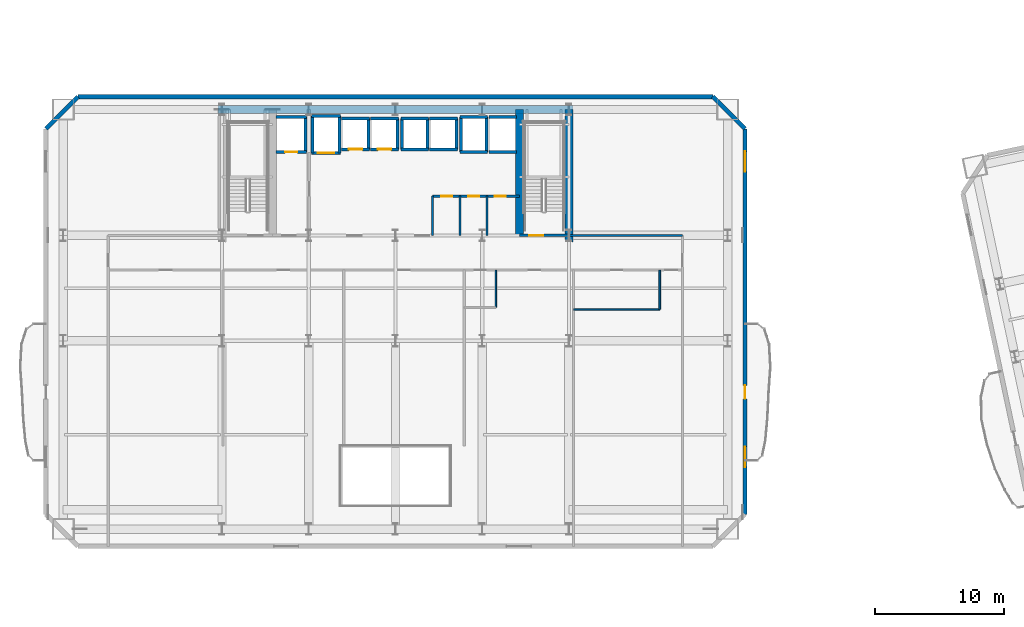
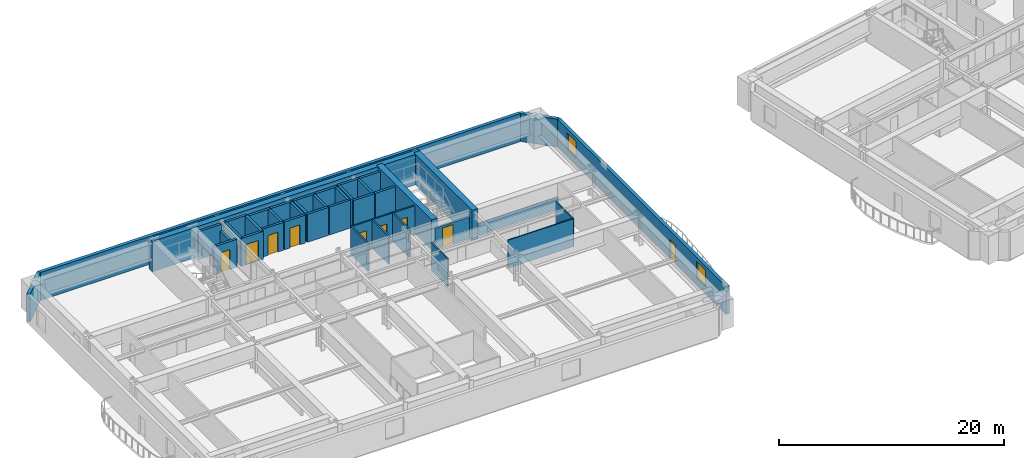
# One storey, part 8 of 18: 42 walls, 9 doors, 2 windows, 11 openings.
"""IFC4 building model written with IfcOpenShell, lengths in metres."""

from ifc_helpers import new_model, si_unit, direction, frame, frame_2d, origin, place, context, subcontext, project, spatial, rectangle, extrude, material, layer, layer_set, type_object, element, fill, save


model = new_model("IFC4")

# Units and contexts
model_context = context("Model", 3, precision=1e-05, world=origin(), true_north=direction((0.0, 1.0)))
body_context = subcontext(model_context, "Body", "Model", "MODEL_VIEW")
ifc_project = project(units=[si_unit("LENGTHUNIT", "METRE"), si_unit("AREAUNIT", "SQUARE_METRE"), si_unit("VOLUMEUNIT", "CUBIC_METRE"), si_unit("PLANEANGLEUNIT", "RADIAN"), si_unit("MASSUNIT", "GRAM", prefix="KILO")], contexts=[model_context])

# Site, building, storey
site_placement = place(None, origin())
site = spatial("IfcSite", under=ifc_project, at=site_placement, CompositionType="ELEMENT")
building_placement = place(site_placement, origin())
building = spatial("IfcBuilding", under=site, at=building_placement, Name="Haevon Station Towers", CompositionType="ELEMENT")
storey_placement = place(building_placement, frame((0.0, 0.0, 47.10009765625)))
storey = spatial("IfcBuildingStorey", under=building, at=storey_placement, Name="L11", CompositionType="ELEMENT", Elevation=47.10009765625)

# Wall, opening, door
ifc_material_1 = material(Name="Gypsum board on steel stud", Category="steel")
ifc_layer_1 = layer(ifc_material_1, 0.199951171875)
ifc_layer_set_1 = layer_set([ifc_layer_1], Name="Gypsum board on steel stud")
wall_type_1 = type_object("IfcWallType", Name="WL-COR200", PredefinedType="PARTITIONING", material=ifc_layer_set_1)
wall_1_placement = place(storey_placement, frame((47.14990234375, 38.199951171875, 0.0), z_axis=(0.0, 0.0, 1.0), x_axis=(1.0, 0.0, 0.0)))
wall_1 = element("IfcWall", 1, at=wall_1_placement, inside=storey, type_object=wall_type_1, Name="WL-ST-ST2-L11", PredefinedType="PARTITIONING", context=body_context, shape_type="SweptSolid", body=[
    extrude(rectangle(XDim=3.85009765625, YDim=0.199951171875, at=frame_2d((1.925048828125, 0.0))), origin(), (0.0, 0.0, 1.0), 2.329833984375),
])
opening_1_placement = place(wall_1_placement, frame((0.75, 0.0, 0.0)))
opening_1 = element("IfcOpeningElement", 2, at=opening_1_placement, cuts=wall_1, Name="Opening DR-ST-ST2-L11", PredefinedType="OPENING", context=body_context, shape_type="SweptSolid", body=[
    extrude(rectangle(XDim=1.1201171875, YDim=2.10009765625, at=frame_2d((0.56005859375, 1.050048828125))), frame((0.0, 0.10986328125, 0.0), z_axis=(0.0, -1.0, 0.0), x_axis=(1.0, 0.0, 0.0)), (0.0, 0.0, 1.0), 0.219970703125),
])
ifc_material_2 = material(Name="Engineered oak timber", Category="wood")
door_type_1 = type_object("IfcDoorType", Name="DR-ST-1120", OperationType="NOTDEFINED", PredefinedType="DOOR", material=ifc_material_2)
door_1_placement = place(opening_1_placement, origin())
door_1 = element("IfcDoor", 3, at=door_1_placement, inside=storey, type_object=door_type_1, Name="L11 Escape Stair ST2 Fire Door", OperationType="SINGLE_SWING_RIGHT", OverallHeight=2.10009765625, OverallWidth=1.1201171875, PredefinedType="DOOR", context=body_context, shape_type="SweptSolid", body=[
    extrude(rectangle(XDim=1.1201171875, YDim=2.10009765625, at=frame_2d((0.56005859375, 1.050048828125))), frame((0.0, 0.02490234375, 0.0), z_axis=(0.0, -1.0, 0.0), x_axis=(1.0, 0.0, 0.0)), (0.0, 0.0, 1.0), 0.050048828125),
])
fill(opening_1, door_1)

# Walls
ifc_material_3 = material(Name="Concrete C60/75", Category="concrete")
ifc_layer_2 = layer(ifc_material_3, 0.60009765625)
ifc_layer_set_2 = layer_set([ifc_layer_2], Name="Concrete C60/75")
wall_type_2 = type_object("IfcWallType", Name="WL-CR600", PredefinedType="SHEAR", material=ifc_layer_set_2)
wall_2_placement = place(storey_placement, frame((23.699951171875, 48.0, 0.0), z_axis=(0.0, 0.0, 1.0), x_axis=(1.0, 0.0, 0.0)))
element("IfcWall", 4, at=wall_2_placement, inside=storey, type_object=wall_type_2, Name="WL-T1CR-L11-N", PredefinedType="SHEAR", context=body_context, shape_type="SweptSolid", body=[
    extrude(rectangle(XDim=27.60009765625, YDim=0.60009765625, at=frame_2d((13.800048828125, 0.0))), origin(), (0.0, 0.0, 1.0), 3.2998046875),
])
wall_3_placement = place(storey_placement, frame((51.0, 37.679931640625, 0.0), z_axis=(0.0, 0.0, 1.0), x_axis=(0.0, 1.0, 0.0)))
element("IfcWall", 5, at=wall_3_placement, inside=storey, type_object=wall_type_2, Name="WL-T1CR-L11-E", PredefinedType="SHEAR", context=body_context, shape_type="SweptSolid", body=[
    extrude(rectangle(XDim=10.320068359375, YDim=0.60009765625, at=frame_2d((5.16015625, 0.0))), origin(), (0.0, 0.0, 1.0), 3.2998046875),
])
wall_4_placement = place(storey_placement, frame((47.14990234375, 38.199951171875, 0.0), z_axis=(0.0, 0.0, 1.0), x_axis=(0.0, 1.0, 0.0)))
element("IfcWall", 6, at=wall_4_placement, inside=storey, type_object=wall_type_2, Name="WL-T1CR-L11-M2", PredefinedType="SHEAR", context=body_context, shape_type="SweptSolid", body=[
    extrude(rectangle(XDim=9.800048828125, YDim=0.60009765625, at=frame_2d((4.89990234375, 0.0))), origin(), (0.0, 0.0, 1.0), 3.2998046875),
])
ifc_material_4 = material(Name="Precast concrete C45/55", Category="concrete")
ifc_layer_3 = layer(ifc_material_4, 0.340087890625)
ifc_layer_set_3 = layer_set([ifc_layer_3], Name="Precast concrete C45/55")
wall_type_3 = type_object("IfcWallType", Name="WL-EXT-PIER340", PredefinedType="SOLIDWALL", material=ifc_layer_set_3)
wall_5_placement = place(storey_placement, frame((10.300048828125, 46.5, 0.0), z_axis=(0.0, 0.0, 1.0), x_axis=(0.707106781187, 0.707106781187, 0.0)))
element("IfcWall", 7, at=wall_5_placement, inside=storey, type_object=wall_type_3, Name="WL-T1-L11-NWC", PredefinedType="SOLIDWALL", context=body_context, shape_type="SweptSolid", body=[
    extrude(rectangle(XDim=3.53564453125, YDim=0.340087890625, at=frame_2d((1.767822265625, 0.0))), origin(), (0.0, 0.0, 1.0), 3.02978515625),
])
wall_6_placement = place(storey_placement, frame((12.800048828125, 49.0, 0.0), z_axis=(0.0, 0.0, 1.0), x_axis=(1.0, 0.0, 0.0)))
element("IfcWall", 8, at=wall_6_placement, inside=storey, type_object=wall_type_3, Name="WL-T1-L11-N", PredefinedType="SOLIDWALL", context=body_context, shape_type="SweptSolid", body=[
    extrude(rectangle(XDim=49.39990234375, YDim=0.340087890625, at=frame_2d((24.699951171875, 0.0))), origin(), (0.0, 0.0, 1.0), 3.02978515625),
])
wall_7_placement = place(storey_placement, frame((62.199951171875, 49.0, 0.0), z_axis=(0.0, 0.0, 1.0), x_axis=(0.707106781187, -0.707106781187, 0.0)))
element("IfcWall", 9, at=wall_7_placement, inside=storey, type_object=wall_type_3, Name="WL-T1-L11-NEC", PredefinedType="SOLIDWALL", context=body_context, shape_type="SweptSolid", body=[
    extrude(rectangle(XDim=3.53564453125, YDim=0.340087890625, at=frame_2d((1.767822265625, 0.0))), origin(), (0.0, 0.0, 1.0), 3.02978515625),
])

# Wall, openings, door, windows
wall_8_placement = place(storey_placement, frame((64.699951171875, 46.5, 0.0), z_axis=(0.0, 0.0, 1.0), x_axis=(0.0, -1.0, 0.0)))
wall_8 = element("IfcWall", 10, at=wall_8_placement, inside=storey, type_object=wall_type_3, Name="WL-T1-L11-E", PredefinedType="SOLIDWALL", context=body_context, shape_type="SweptSolid", body=[
    extrude(rectangle(XDim=30.0, YDim=0.340087890625, at=frame_2d((15.0, 0.0))), origin(), (0.0, 0.0, 1.0), 3.02978515625),
])
opening_2_placement = place(wall_8_placement, frame((19.97509765625, 0.0, 0.0)))
opening_2 = element("IfcOpeningElement", 11, at=opening_2_placement, cuts=wall_8, Name="Opening DR-T1-SCAL-L11-E", PredefinedType="OPENING", context=body_context, shape_type="SweptSolid", body=[
    extrude(rectangle(XDim=1.050048828125, YDim=2.10009765625, at=frame_2d((0.52490234375, 1.050048828125))), frame((0.0, 0.179931640625, 0.0), z_axis=(0.0, -1.0, 0.0), x_axis=(1.0, 0.0, 0.0)), (0.0, 0.0, 1.0), 0.360107421875),
])
opening_3_placement = place(wall_8_placement, frame((1.757080078125, 0.0, 0.800048828125)))
opening_3 = element("IfcOpeningElement", 12, at=opening_3_placement, cuts=wall_8, Name="Opening WN-END160", PredefinedType="OPENING", context=body_context, shape_type="SweptSolid", body=[
    extrude(rectangle(XDim=1.60009765625, YDim=1.800048828125, at=frame_2d((0.800048828125, 0.89990234375))), frame((0.0, 0.179931640625, 0.0), z_axis=(0.0, -1.0, 0.0), x_axis=(1.0, 0.0, 0.0)), (0.0, 0.0, 1.0), 0.360107421875),
])
opening_4_placement = place(wall_8_placement, frame((24.728515625, 0.0, 0.800048828125)))
opening_4 = element("IfcOpeningElement", 13, at=opening_4_placement, cuts=wall_8, Name="Opening WN-END160", PredefinedType="OPENING", context=body_context, shape_type="SweptSolid", body=[
    extrude(rectangle(XDim=1.60009765625, YDim=1.800048828125, at=frame_2d((0.800048828125, 0.89990234375))), frame((0.0, 0.179931640625, 0.0), z_axis=(0.0, -1.0, 0.0), x_axis=(1.0, 0.0, 0.0)), (0.0, 0.0, 1.0), 0.360107421875),
])
ifc_material_5 = material(Name="Thermally broken anodised aluminium and laminated safety glass", Category="aluminium")
door_type_2 = type_object("IfcDoorType", Name="DR-BALC-1050", OperationType="NOTDEFINED", PredefinedType="DOOR", material=ifc_material_5)
door_2_placement = place(opening_2_placement, origin())
door_2 = element("IfcDoor", 14, at=door_2_placement, inside=storey, type_object=door_type_2, Name="Tower 1 L11 East Scalloped Balcony Door", OperationType="SINGLE_SWING_RIGHT", OverallHeight=2.10009765625, OverallWidth=1.050048828125, PredefinedType="DOOR", context=body_context, shape_type="SweptSolid", body=[
    extrude(rectangle(XDim=1.050048828125, YDim=2.10009765625, at=frame_2d((0.52490234375, 1.050048828125))), frame((0.0, 0.02490234375, 0.0), z_axis=(0.0, -1.0, 0.0), x_axis=(1.0, 0.0, 0.0)), (0.0, 0.0, 1.0), 0.050048828125),
])
fill(opening_2, door_2)
ifc_material_6 = material(Name="Low-E triple glazing in thermally broken aluminium", Category="aluminium")
window_type = type_object("IfcWindowType", Name="WN-END160", PartitioningType="SINGLE_PANEL", PredefinedType="WINDOW", material=ifc_material_6)
window_1_placement = place(opening_3_placement, origin())
window_1 = element("IfcWindow", 15, at=window_1_placement, inside=storey, type_object=window_type, Name="WN-T1-L11-E01", OverallHeight=1.800048828125, OverallWidth=1.60009765625, PartitioningType="SINGLE_PANEL", PredefinedType="WINDOW", context=body_context, shape_type="SweptSolid", body=[
    extrude(rectangle(XDim=1.60009765625, YDim=1.800048828125, at=frame_2d((0.800048828125, 0.89990234375))), frame((0.0, 0.030029296875, 0.0), z_axis=(0.0, -1.0, 0.0), x_axis=(1.0, 0.0, 0.0)), (0.0, 0.0, 1.0), 0.06005859375),
])
fill(opening_3, window_1)
window_2_placement = place(opening_4_placement, origin())
window_2 = element("IfcWindow", 16, at=window_2_placement, inside=storey, type_object=window_type, Name="WN-T1-L11-E02", OverallHeight=1.800048828125, OverallWidth=1.60009765625, PartitioningType="SINGLE_PANEL", PredefinedType="WINDOW", context=body_context, shape_type="SweptSolid", body=[
    extrude(rectangle(XDim=1.60009765625, YDim=1.800048828125, at=frame_2d((0.800048828125, 0.89990234375))), frame((0.0, 0.030029296875, 0.0), z_axis=(0.0, -1.0, 0.0), x_axis=(1.0, 0.0, 0.0)), (0.0, 0.0, 1.0), 0.06005859375),
])
fill(opening_4, window_2)

# Walls
ifc_layer_4 = layer(ifc_material_1, 0.125)
ifc_layer_set_4 = layer_set([ifc_layer_4], Name="Gypsum board on steel stud")
wall_type_4 = type_object("IfcWallType", Name="WL-PRT125", PredefinedType="PARTITIONING", material=ifc_layer_set_4)
wall_9_placement = place(storey_placement, frame((45.31396484375, 32.60009765625, 0.0), z_axis=(0.0, 0.0, 1.0), x_axis=(0.0, 1.0, 0.0)))
element("IfcWall", 17, at=wall_9_placement, inside=storey, type_object=wall_type_4, Name="WL-T1PT-L11-15", PredefinedType="PARTITIONING", context=body_context, shape_type="SweptSolid", body=[
    extrude(rectangle(XDim=2.89990234375, YDim=0.125, at=frame_2d((1.449951171875, 0.0))), origin(), (0.0, 0.0, 1.0), 3.02978515625),
])
wall_10_placement = place(storey_placement, frame((51.35693359375, 32.449951171875, 0.0), z_axis=(0.0, 0.0, 1.0), x_axis=(1.0, 0.0, 0.0)))
element("IfcWall", 18, at=wall_10_placement, inside=storey, type_object=wall_type_4, Name="WL-T1PT-L11-17", PredefinedType="PARTITIONING", context=body_context, shape_type="SweptSolid", body=[
    extrude(rectangle(XDim=6.713134765625, YDim=0.125, at=frame_2d((3.3564453125, 0.0))), origin(), (0.0, 0.0, 1.0), 3.02978515625),
])
wall_11_placement = place(storey_placement, frame((58.070068359375, 32.449951171875, 0.0), z_axis=(0.0, 0.0, 1.0), x_axis=(0.0, 1.0, 0.0)))
element("IfcWall", 19, at=wall_11_placement, inside=storey, type_object=wall_type_4, Name="WL-T1PT-L11-18", PredefinedType="PARTITIONING", context=body_context, shape_type="SweptSolid", body=[
    extrude(rectangle(XDim=3.050048828125, YDim=0.125, at=frame_2d((1.52490234375, 0.0))), origin(), (0.0, 0.0, 1.0), 3.02978515625),
])
ifc_layer_5 = layer(ifc_material_1, 0.159912109375)
ifc_layer_set_5 = layer_set([ifc_layer_5], Name="Gypsum board on steel stud")
wall_type_5 = type_object("IfcWallType", Name="WL-PRT160", PredefinedType="PARTITIONING", material=ifc_layer_set_5)
for number, where, z_axis, x_axis, name in (
    (20, (40.39990234375, 38.199951171875, 0.0), (0.0, 0.0, 1.0), (0.0, 1.0, 0.0), "WL-T1CW-L11-01"),
    (21, (42.530029296875, 38.199951171875, 0.0), (0.0, 0.0, 1.0), (0.0, 1.0, 0.0), "WL-T1CW-L11-02"),
    (22, (44.6298828125, 38.199951171875, 0.0), (0.0, 0.0, 1.0), (0.0, 1.0, 0.0), "WL-T1CW-L11-03"),
):
    element("IfcWall", number, at=place(storey_placement, frame(where, z_axis=z_axis, x_axis=x_axis)), inside=storey, type_object=wall_type_5, Name=name, PredefinedType="PARTITIONING", context=body_context, shape_type="SweptSolid", body=[
        extrude(rectangle(XDim=3.050048828125, YDim=0.159912109375, at=frame_2d((1.52490234375, 0.0))), origin(), (0.0, 0.0, 1.0), 3.02978515625),
    ])

# Wall, openings, doors
wall_12_placement = place(storey_placement, frame((40.39990234375, 41.25, 0.0), z_axis=(0.0, 0.0, 1.0), x_axis=(1.0, 0.0, 0.0)))
wall_12 = element("IfcWall", 23, at=wall_12_placement, inside=storey, type_object=wall_type_5, Name="WL-T1CW-L11-04", PredefinedType="PARTITIONING", context=body_context, shape_type="SweptSolid", body=[
    extrude(rectangle(XDim=6.75, YDim=0.159912109375, at=frame_2d((3.375, 0.0))), origin(), (0.0, 0.0, 1.0), 3.02978515625),
])
opening_5_placement = place(wall_12_placement, frame((0.659912109375, 0.0, 0.0)))
opening_5 = element("IfcOpeningElement", 24, at=opening_5_placement, cuts=wall_12, Name="Opening DR-WL-T1CW-L11-04-1", PredefinedType="OPENING", context=body_context, shape_type="SweptSolid", body=[
    extrude(rectangle(XDim=0.85009765625, YDim=2.050048828125, at=frame_2d((0.425048828125, 1.02490234375))), frame((0.0, 0.08984375, 0.0), z_axis=(0.0, -1.0, 0.0), x_axis=(1.0, 0.0, 0.0)), (0.0, 0.0, 1.0), 0.179931640625),
])
opening_6_placement = place(wall_12_placement, frame((2.7548828125, 0.0, 0.0)))
opening_6 = element("IfcOpeningElement", 25, at=opening_6_placement, cuts=wall_12, Name="Opening DR-WL-T1CW-L11-04-2", PredefinedType="OPENING", context=body_context, shape_type="SweptSolid", body=[
    extrude(rectangle(XDim=0.85009765625, YDim=2.050048828125, at=frame_2d((0.425048828125, 1.02490234375))), frame((0.0, 0.08984375, 0.0), z_axis=(0.0, -1.0, 0.0), x_axis=(1.0, 0.0, 0.0)), (0.0, 0.0, 1.0), 0.179931640625),
])
opening_7_placement = place(wall_12_placement, frame((4.830078125, 0.0, 0.0)))
opening_7 = element("IfcOpeningElement", 26, at=opening_7_placement, cuts=wall_12, Name="Opening DR-WL-T1CW-L11-04-3", PredefinedType="OPENING", context=body_context, shape_type="SweptSolid", body=[
    extrude(rectangle(XDim=0.85009765625, YDim=2.050048828125, at=frame_2d((0.425048828125, 1.02490234375))), frame((0.0, 0.08984375, 0.0), z_axis=(0.0, -1.0, 0.0), x_axis=(1.0, 0.0, 0.0)), (0.0, 0.0, 1.0), 0.179931640625),
])
door_type_3 = type_object("IfcDoorType", Name="DR-FD30-850", OperationType="NOTDEFINED", PredefinedType="DOOR", material=ifc_material_2)
door_3_placement = place(opening_5_placement, origin())
door_3 = element("IfcDoor", 27, at=door_3_placement, inside=storey, type_object=door_type_3, Name="L11 Tower 1 Core Room Door 4-1", OperationType="SINGLE_SWING_RIGHT", OverallHeight=2.050048828125, OverallWidth=0.85009765625, PredefinedType="DOOR", context=body_context, shape_type="SweptSolid", body=[
    extrude(rectangle(XDim=0.85009765625, YDim=2.050048828125, at=frame_2d((0.425048828125, 1.02490234375))), frame((0.0, 0.02490234375, 0.0), z_axis=(0.0, -1.0, 0.0), x_axis=(1.0, 0.0, 0.0)), (0.0, 0.0, 1.0), 0.050048828125),
])
fill(opening_5, door_3)
door_4_placement = place(opening_6_placement, origin())
door_4 = element("IfcDoor", 28, at=door_4_placement, inside=storey, type_object=door_type_3, Name="L11 Tower 1 Core Room Door 4-2", OperationType="SINGLE_SWING_LEFT", OverallHeight=2.050048828125, OverallWidth=0.85009765625, PredefinedType="DOOR", context=body_context, shape_type="SweptSolid", body=[
    extrude(rectangle(XDim=0.85009765625, YDim=2.050048828125, at=frame_2d((0.425048828125, 1.02490234375))), frame((0.0, 0.02490234375, 0.0), z_axis=(0.0, -1.0, 0.0), x_axis=(1.0, 0.0, 0.0)), (0.0, 0.0, 1.0), 0.050048828125),
])
fill(opening_6, door_4)
door_5_placement = place(opening_7_placement, origin())
door_5 = element("IfcDoor", 29, at=door_5_placement, inside=storey, type_object=door_type_3, Name="L11 Tower 1 Core Room Door 4-3", OperationType="SINGLE_SWING_RIGHT", OverallHeight=2.050048828125, OverallWidth=0.85009765625, PredefinedType="DOOR", context=body_context, shape_type="SweptSolid", body=[
    extrude(rectangle(XDim=0.85009765625, YDim=2.050048828125, at=frame_2d((0.425048828125, 1.02490234375))), frame((0.0, 0.02490234375, 0.0), z_axis=(0.0, -1.0, 0.0), x_axis=(1.0, 0.0, 0.0)), (0.0, 0.0, 1.0), 0.050048828125),
])
fill(opening_7, door_5)

# Wall
wall_13_placement = place(storey_placement, frame((51.0, 38.199951171875, 0.0), z_axis=(0.0, 0.0, 1.0), x_axis=(1.0, 0.0, 0.0)))
element("IfcWall", 30, at=wall_13_placement, inside=storey, type_object=wall_type_5, Name="WL-T1PT-L11-02", PredefinedType="PARTITIONING", context=body_context, shape_type="SweptSolid", body=[
    extrude(rectangle(XDim=8.85009765625, YDim=0.159912109375, at=frame_2d((4.425048828125, 0.0))), origin(), (0.0, 0.0, 1.0), 1.22998046875),
])

# Wall, opening, door
ifc_material_7 = material(Name="Concrete C40/50", Category="concrete")
ifc_layer_6 = layer(ifc_material_7, 0.239990234375)
ifc_layer_set_6 = layer_set([ifc_layer_6], Name="Concrete C40/50")
wall_type_6 = type_object("IfcWallType", Name="WL-SHF240", PredefinedType="PARTITIONING", material=ifc_layer_set_6)
wall_14_placement = place(storey_placement, frame((28.219970703125, 44.699951171875, 0.0), z_axis=(0.0, 0.0, 1.0), x_axis=(1.0, 0.0, 0.0)))
wall_14 = element("IfcWall", 31, at=wall_14_placement, inside=storey, type_object=wall_type_6, Name="WL-SHF-FL1-L11", PredefinedType="PARTITIONING", context=body_context, shape_type="SweptSolid", body=[
    extrude(rectangle(XDim=2.360107421875, YDim=0.239990234375, at=frame_2d((1.18017578125, 0.0))), origin(), (0.0, 0.0, 1.0), 3.02978515625),
])
opening_8_placement = place(wall_14_placement, frame((0.705078125, 0.0, 0.0)))
opening_8 = element("IfcOpeningElement", 32, at=opening_8_placement, cuts=wall_14, Name="Opening LD-FL1-L11", PredefinedType="OPENING", context=body_context, shape_type="SweptSolid", body=[
    extrude(rectangle(XDim=0.949951171875, YDim=2.14990234375, at=frame_2d((0.47509765625, 1.074951171875))), frame((0.0, 0.1298828125, 0.0), z_axis=(0.0, -1.0, 0.0), x_axis=(1.0, 0.0, 0.0)), (0.0, 0.0, 1.0), 0.260009765625),
])
ifc_material_8 = material(Name="Stainless steel and rated core", Category="steel")
door_type_4 = type_object("IfcDoorType", Name="LD-FL950", OperationType="SLIDING_TO_LEFT", PredefinedType="DOOR", material=ifc_material_8)
door_6_placement = place(opening_8_placement, origin())
door_6 = element("IfcDoor", 33, at=door_6_placement, inside=storey, type_object=door_type_4, Name="L11 Lift FL1 Sliding Landing Door", OperationType="SLIDING_TO_LEFT", OverallHeight=2.14990234375, OverallWidth=0.949951171875, PredefinedType="DOOR", context=body_context, shape_type="SweptSolid", body=[
    extrude(rectangle(XDim=0.949951171875, YDim=2.14990234375, at=frame_2d((0.47509765625, 1.074951171875))), frame((0.0, 0.02490234375, 0.0), z_axis=(0.0, -1.0, 0.0), x_axis=(1.0, 0.0, 0.0)), (0.0, 0.0, 1.0), 0.050048828125),
])
fill(opening_8, door_6)

# Walls
wall_15_placement = place(storey_placement, frame((28.219970703125, 47.39990234375, 0.0), z_axis=(0.0, 0.0, 1.0), x_axis=(1.0, 0.0, 0.0)))
element("IfcWall", 34, at=wall_15_placement, inside=storey, type_object=wall_type_6, Name="WL-SHF-FL1-L11-N", PredefinedType="PARTITIONING", context=body_context, shape_type="SweptSolid", body=[
    extrude(rectangle(XDim=2.360107421875, YDim=0.239990234375, at=frame_2d((1.18017578125, 0.0))), origin(), (0.0, 0.0, 1.0), 3.02978515625),
])
wall_16_placement = place(storey_placement, frame((30.5, 44.699951171875, 0.0), z_axis=(0.0, 0.0, 1.0), x_axis=(0.0, 1.0, 0.0)))
element("IfcWall", 35, at=wall_16_placement, inside=storey, type_object=wall_type_6, Name="WL-SHF-FL1-L11-E", PredefinedType="PARTITIONING", context=body_context, shape_type="SweptSolid", body=[
    extrude(rectangle(XDim=2.699951171875, YDim=0.239990234375, at=frame_2d((1.35009765625, 0.0))), origin(), (0.0, 0.0, 1.0), 2.329833984375),
])

# Wall, opening, door
wall_17_placement = place(storey_placement, frame((30.969970703125, 44.60009765625, 0.0), z_axis=(0.0, 0.0, 1.0), x_axis=(1.0, 0.0, 0.0)))
wall_17 = element("IfcWall", 36, at=wall_17_placement, inside=storey, type_object=wall_type_6, Name="WL-SHF-SL1-L11", PredefinedType="PARTITIONING", context=body_context, shape_type="SweptSolid", body=[
    extrude(rectangle(XDim=2.260009765625, YDim=0.239990234375, at=frame_2d((1.1298828125, 0.0))), origin(), (0.0, 0.0, 1.0), 3.02978515625),
])
opening_9_placement = place(wall_17_placement, frame((0.5048828125, 0.0, 0.0)))
opening_9 = element("IfcOpeningElement", 37, at=opening_9_placement, cuts=wall_17, Name="Opening LD-SL1-L11", PredefinedType="OPENING", context=body_context, shape_type="SweptSolid", body=[
    extrude(rectangle(XDim=1.25, YDim=2.199951171875, at=frame_2d((0.625, 1.10009765625))), frame((0.0, 0.1298828125, 0.0), z_axis=(0.0, -1.0, 0.0), x_axis=(1.0, 0.0, 0.0)), (0.0, 0.0, 1.0), 0.260009765625),
])
door_type_5 = type_object("IfcDoorType", Name="LD-SL1250", OperationType="SLIDING_TO_LEFT", PredefinedType="DOOR", material=ifc_material_8)
door_7_placement = place(opening_9_placement, origin())
door_7 = element("IfcDoor", 38, at=door_7_placement, inside=storey, type_object=door_type_5, Name="L11 Lift SL1 Sliding Landing Door", OperationType="SLIDING_TO_LEFT", OverallHeight=2.199951171875, OverallWidth=1.25, PredefinedType="DOOR", context=body_context, shape_type="SweptSolid", body=[
    extrude(rectangle(XDim=1.25, YDim=2.199951171875, at=frame_2d((0.625, 1.10009765625))), frame((0.0, 0.02490234375, 0.0), z_axis=(0.0, -1.0, 0.0), x_axis=(1.0, 0.0, 0.0)), (0.0, 0.0, 1.0), 0.050048828125),
])
fill(opening_9, door_7)

# Walls
wall_18_placement = place(storey_placement, frame((30.969970703125, 47.5, 0.0), z_axis=(0.0, 0.0, 1.0), x_axis=(1.0, 0.0, 0.0)))
element("IfcWall", 39, at=wall_18_placement, inside=storey, type_object=wall_type_6, Name="WL-SHF-SL1-L11-N", PredefinedType="PARTITIONING", context=body_context, shape_type="SweptSolid", body=[
    extrude(rectangle(XDim=2.260009765625, YDim=0.239990234375, at=frame_2d((1.1298828125, 0.0))), origin(), (0.0, 0.0, 1.0), 3.02978515625),
])
for number, where, z_axis, x_axis, name in (
    (40, (31.050048828125, 44.60009765625, 0.0), (0.0, 0.0, 1.0), (0.0, 1.0, 0.0), "WL-SHF-SL1-L11-W"),
    (41, (33.14990234375, 44.60009765625, 0.0), (0.0, 0.0, 1.0), (0.0, 1.0, 0.0), "WL-SHF-SL1-L11-E"),
):
    element("IfcWall", number, at=place(storey_placement, frame(where, z_axis=z_axis, x_axis=x_axis)), inside=storey, type_object=wall_type_6, Name=name, PredefinedType="PARTITIONING", context=body_context, shape_type="SweptSolid", body=[
        extrude(rectangle(XDim=2.89990234375, YDim=0.239990234375, at=frame_2d((1.449951171875, 0.0))), origin(), (0.0, 0.0, 1.0), 3.02978515625),
    ])

# Wall, opening, door
wall_19_placement = place(storey_placement, frame((33.320068359375, 44.89990234375, 0.0), z_axis=(0.0, 0.0, 1.0), x_axis=(1.0, 0.0, 0.0)))
wall_19 = element("IfcWall", 42, at=wall_19_placement, inside=storey, type_object=wall_type_6, Name="WL-SHF-PL1-L11", PredefinedType="PARTITIONING", context=body_context, shape_type="SweptSolid", body=[
    extrude(rectangle(XDim=2.159912109375, YDim=0.239990234375, at=frame_2d((1.080078125, 0.0))), origin(), (0.0, 0.0, 1.0), 3.02978515625),
])
opening_10_placement = place(wall_19_placement, frame((0.554931640625, 0.0, 0.0)))
opening_10 = element("IfcOpeningElement", 43, at=opening_10_placement, cuts=wall_19, Name="Opening LD-PL1-L11", PredefinedType="OPENING", context=body_context, shape_type="SweptSolid", body=[
    extrude(rectangle(XDim=1.050048828125, YDim=2.14990234375, at=frame_2d((0.52490234375, 1.074951171875))), frame((0.0, 0.1298828125, 0.0), z_axis=(0.0, -1.0, 0.0), x_axis=(1.0, 0.0, 0.0)), (0.0, 0.0, 1.0), 0.260009765625),
])
door_type_6 = type_object("IfcDoorType", Name="LD-PL1050", OperationType="SLIDING_TO_LEFT", PredefinedType="DOOR", material=ifc_material_8)
door_8_placement = place(opening_10_placement, origin())
door_8 = element("IfcDoor", 44, at=door_8_placement, inside=storey, type_object=door_type_6, Name="L11 Lift PL1 Sliding Landing Door", OperationType="SLIDING_TO_LEFT", OverallHeight=2.14990234375, OverallWidth=1.050048828125, PredefinedType="DOOR", context=body_context, shape_type="SweptSolid", body=[
    extrude(rectangle(XDim=1.050048828125, YDim=2.14990234375, at=frame_2d((0.52490234375, 1.074951171875))), frame((0.0, 0.02490234375, 0.0), z_axis=(0.0, -1.0, 0.0), x_axis=(1.0, 0.0, 0.0)), (0.0, 0.0, 1.0), 0.050048828125),
])
fill(opening_10, door_8)

# Walls
wall_20_placement = place(storey_placement, frame((33.320068359375, 47.300048828125, 0.0), z_axis=(0.0, 0.0, 1.0), x_axis=(1.0, 0.0, 0.0)))
element("IfcWall", 45, at=wall_20_placement, inside=storey, type_object=wall_type_6, Name="WL-SHF-PL1-L11-N", PredefinedType="PARTITIONING", context=body_context, shape_type="SweptSolid", body=[
    extrude(rectangle(XDim=2.159912109375, YDim=0.239990234375, at=frame_2d((1.080078125, 0.0))), origin(), (0.0, 0.0, 1.0), 3.02978515625),
])
wall_21_placement = place(storey_placement, frame((35.39990234375, 44.89990234375, 0.0), z_axis=(0.0, 0.0, 1.0), x_axis=(0.0, 1.0, 0.0)))
element("IfcWall", 46, at=wall_21_placement, inside=storey, type_object=wall_type_6, Name="WL-SHF-PL1-L11-E", PredefinedType="PARTITIONING", context=body_context, shape_type="SweptSolid", body=[
    extrude(rectangle(XDim=2.400146484375, YDim=0.239990234375, at=frame_2d((1.2001953125, 0.0))), origin(), (0.0, 0.0, 1.0), 3.02978515625),
])

# Wall, opening, door
wall_22_placement = place(storey_placement, frame((35.570068359375, 44.89990234375, 0.0), z_axis=(0.0, 0.0, 1.0), x_axis=(1.0, 0.0, 0.0)))
wall_22 = element("IfcWall", 47, at=wall_22_placement, inside=storey, type_object=wall_type_6, Name="WL-SHF-PL2-L11", PredefinedType="PARTITIONING", context=body_context, shape_type="SweptSolid", body=[
    extrude(rectangle(XDim=2.159912109375, YDim=0.239990234375, at=frame_2d((1.080078125, 0.0))), origin(), (0.0, 0.0, 1.0), 3.02978515625),
])
opening_11_placement = place(wall_22_placement, frame((0.554931640625, 0.0, 0.0)))
opening_11 = element("IfcOpeningElement", 48, at=opening_11_placement, cuts=wall_22, Name="Opening LD-PL2-L11", PredefinedType="OPENING", context=body_context, shape_type="SweptSolid", body=[
    extrude(rectangle(XDim=1.050048828125, YDim=2.14990234375, at=frame_2d((0.52490234375, 1.074951171875))), frame((0.0, 0.1298828125, 0.0), z_axis=(0.0, -1.0, 0.0), x_axis=(1.0, 0.0, 0.0)), (0.0, 0.0, 1.0), 0.260009765625),
])
door_9_placement = place(opening_11_placement, origin())
door_9 = element("IfcDoor", 49, at=door_9_placement, inside=storey, type_object=door_type_6, Name="L11 Lift PL2 Sliding Landing Door", OperationType="SLIDING_TO_LEFT", OverallHeight=2.14990234375, OverallWidth=1.050048828125, PredefinedType="DOOR", context=body_context, shape_type="SweptSolid", body=[
    extrude(rectangle(XDim=1.050048828125, YDim=2.14990234375, at=frame_2d((0.52490234375, 1.074951171875))), frame((0.0, 0.02490234375, 0.0), z_axis=(0.0, -1.0, 0.0), x_axis=(1.0, 0.0, 0.0)), (0.0, 0.0, 1.0), 0.050048828125),
])
fill(opening_11, door_9)

# Walls
wall_23_placement = place(storey_placement, frame((35.570068359375, 47.300048828125, 0.0), z_axis=(0.0, 0.0, 1.0), x_axis=(1.0, 0.0, 0.0)))
element("IfcWall", 50, at=wall_23_placement, inside=storey, type_object=wall_type_6, Name="WL-SHF-PL2-L11-N", PredefinedType="PARTITIONING", context=body_context, shape_type="SweptSolid", body=[
    extrude(rectangle(XDim=2.159912109375, YDim=0.239990234375, at=frame_2d((1.080078125, 0.0))), origin(), (0.0, 0.0, 1.0), 3.02978515625),
])
wall_24_placement = place(storey_placement, frame((37.64990234375, 44.89990234375, 0.0), z_axis=(0.0, 0.0, 1.0), x_axis=(0.0, 1.0, 0.0)))
element("IfcWall", 51, at=wall_24_placement, inside=storey, type_object=wall_type_6, Name="WL-SHF-PL2-L11-E", PredefinedType="PARTITIONING", context=body_context, shape_type="SweptSolid", body=[
    extrude(rectangle(XDim=2.400146484375, YDim=0.239990234375, at=frame_2d((1.2001953125, 0.0))), origin(), (0.0, 0.0, 1.0), 3.02978515625),
])
for number, where, z_axis, x_axis, name in (
    (52, (37.919921875, 44.89990234375, 0.0), (0.0, 0.0, 1.0), (1.0, 0.0, 0.0), "WL-SHF-PL3-L11"),
    (53, (37.919921875, 47.300048828125, 0.0), (0.0, 0.0, 1.0), (1.0, 0.0, 0.0), "WL-SHF-PL3-L11-N"),
):
    element("IfcWall", number, at=place(storey_placement, frame(where, z_axis=z_axis, x_axis=x_axis)), inside=storey, type_object=wall_type_6, Name=name, PredefinedType="PARTITIONING", context=body_context, shape_type="SweptSolid", body=[
        extrude(rectangle(XDim=2.16015625, YDim=0.239990234375, at=frame_2d((1.080078125, 0.0))), origin(), (0.0, 0.0, 1.0), 3.02978515625),
    ])
for number, where, z_axis, x_axis, name in (
    (54, (38.0, 44.89990234375, 0.0), (0.0, 0.0, 1.0), (0.0, 1.0, 0.0), "WL-SHF-PL3-L11-W"),
    (55, (40.0, 44.89990234375, 0.0), (0.0, 0.0, 1.0), (0.0, 1.0, 0.0), "WL-SHF-PL3-L11-E"),
):
    element("IfcWall", number, at=place(storey_placement, frame(where, z_axis=z_axis, x_axis=x_axis)), inside=storey, type_object=wall_type_6, Name=name, PredefinedType="PARTITIONING", context=body_context, shape_type="SweptSolid", body=[
        extrude(rectangle(XDim=2.400146484375, YDim=0.239990234375, at=frame_2d((1.2001953125, 0.0))), origin(), (0.0, 0.0, 1.0), 3.02978515625),
    ])
for number, where, z_axis, x_axis, name in (
    (56, (40.169921875, 44.89990234375, 0.0), (0.0, 0.0, 1.0), (1.0, 0.0, 0.0), "WL-SHF-PL4-L11"),
    (57, (40.169921875, 47.300048828125, 0.0), (0.0, 0.0, 1.0), (1.0, 0.0, 0.0), "WL-SHF-PL4-L11-N"),
):
    element("IfcWall", number, at=place(storey_placement, frame(where, z_axis=z_axis, x_axis=x_axis)), inside=storey, type_object=wall_type_6, Name=name, PredefinedType="PARTITIONING", context=body_context, shape_type="SweptSolid", body=[
        extrude(rectangle(XDim=2.16015625, YDim=0.239990234375, at=frame_2d((1.080078125, 0.0))), origin(), (0.0, 0.0, 1.0), 3.02978515625),
    ])
wall_25_placement = place(storey_placement, frame((42.25, 44.89990234375, 0.0), z_axis=(0.0, 0.0, 1.0), x_axis=(0.0, 1.0, 0.0)))
element("IfcWall", 58, at=wall_25_placement, inside=storey, type_object=wall_type_6, Name="WL-SHF-PL4-L11-E", PredefinedType="PARTITIONING", context=body_context, shape_type="SweptSolid", body=[
    extrude(rectangle(XDim=2.400146484375, YDim=0.239990234375, at=frame_2d((1.2001953125, 0.0))), origin(), (0.0, 0.0, 1.0), 3.02978515625),
])
for number, where, z_axis, x_axis, name in (
    (59, (42.52001953125, 44.699951171875, 0.0), (0.0, 0.0, 1.0), (1.0, 0.0, 0.0), "WL-SHF-PL5-L11"),
    (60, (42.52001953125, 47.39990234375, 0.0), (0.0, 0.0, 1.0), (1.0, 0.0, 0.0), "WL-SHF-PL5-L11-N"),
):
    element("IfcWall", number, at=place(storey_placement, frame(where, z_axis=z_axis, x_axis=x_axis)), inside=storey, type_object=wall_type_6, Name=name, PredefinedType="PARTITIONING", context=body_context, shape_type="SweptSolid", body=[
        extrude(rectangle(XDim=2.159912109375, YDim=0.239990234375, at=frame_2d((1.080078125, 0.0))), origin(), (0.0, 0.0, 1.0), 3.02978515625),
    ])
for number, where, z_axis, x_axis, name in (
    (61, (42.60009765625, 44.699951171875, 0.0), (0.0, 0.0, 1.0), (0.0, 1.0, 0.0), "WL-SHF-PL5-L11-W"),
    (62, (44.60009765625, 44.699951171875, 0.0), (0.0, 0.0, 1.0), (0.0, 1.0, 0.0), "WL-SHF-PL5-L11-E"),
):
    element("IfcWall", number, at=place(storey_placement, frame(where, z_axis=z_axis, x_axis=x_axis)), inside=storey, type_object=wall_type_6, Name=name, PredefinedType="PARTITIONING", context=body_context, shape_type="SweptSolid", body=[
        extrude(rectangle(XDim=2.699951171875, YDim=0.239990234375, at=frame_2d((1.35009765625, 0.0))), origin(), (0.0, 0.0, 1.0), 3.02978515625),
    ])
for number, where, z_axis, x_axis, name in (
    (63, (44.77001953125, 44.699951171875, 0.0), (0.0, 0.0, 1.0), (1.0, 0.0, 0.0), "WL-SHF-PL6-L11"),
    (64, (44.77001953125, 47.39990234375, 0.0), (0.0, 0.0, 1.0), (1.0, 0.0, 0.0), "WL-SHF-PL6-L11-N"),
):
    element("IfcWall", number, at=place(storey_placement, frame(where, z_axis=z_axis, x_axis=x_axis)), inside=storey, type_object=wall_type_6, Name=name, PredefinedType="PARTITIONING", context=body_context, shape_type="SweptSolid", body=[
        extrude(rectangle(XDim=2.159912109375, YDim=0.239990234375, at=frame_2d((1.080078125, 0.0))), origin(), (0.0, 0.0, 1.0), 3.02978515625),
    ])

save(model, "model.ifc")
